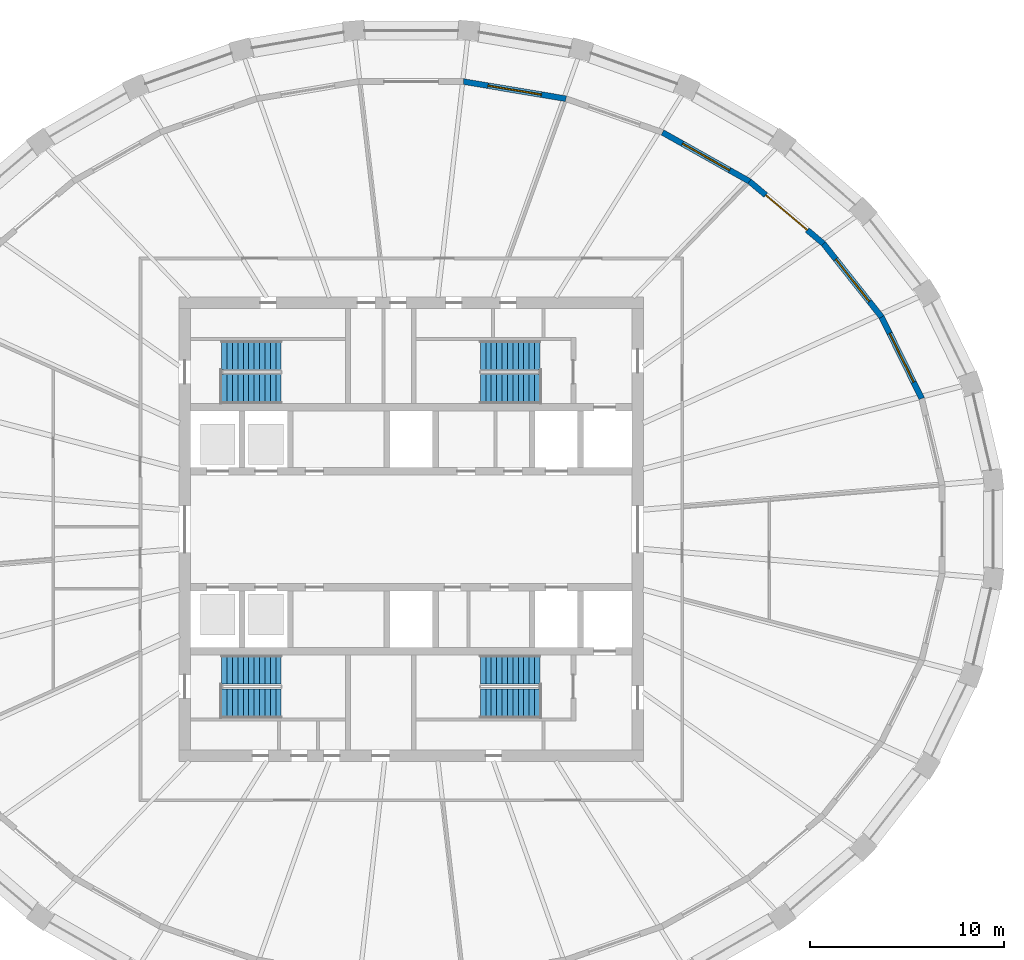
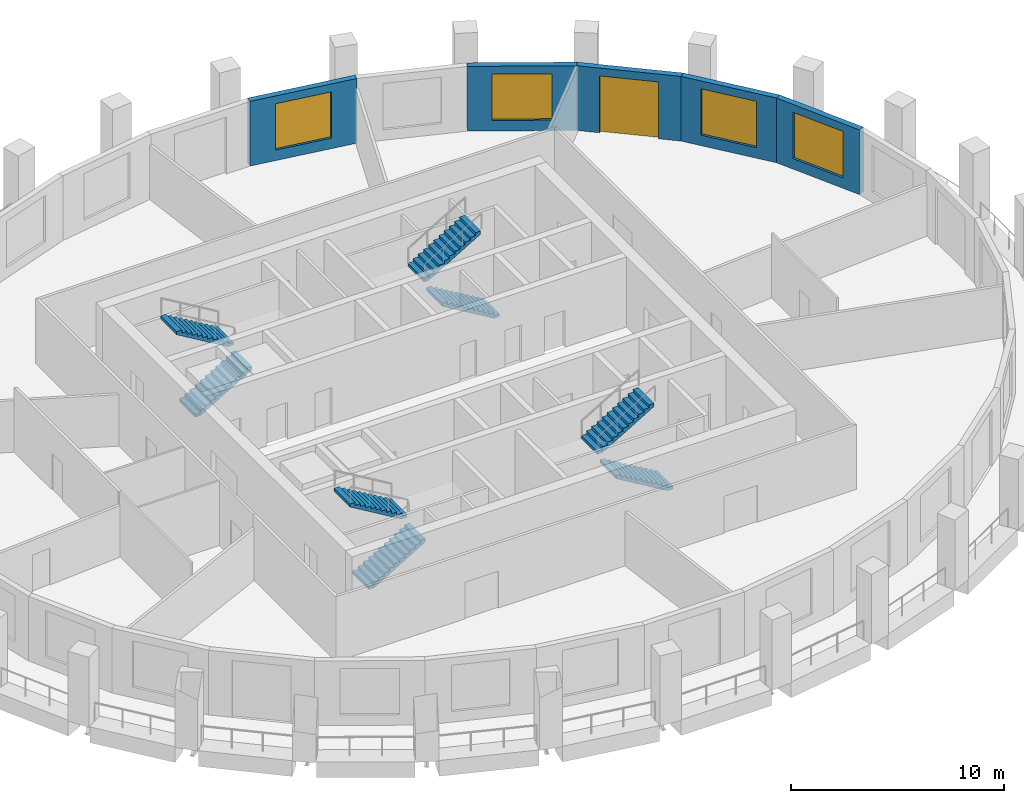
# One storey, part 7 of 10: 8 stair flights, 5 walls, 4 windows, 1 door, 5 openings, 4 elements without a shape of their own.
"""IFC4 building model written with IfcOpenShell, lengths in metres."""

from ifc_helpers import new_model, si_unit, direction, frame, frame_2d, origin, place, context, subcontext, project, spatial, polyline, rectangle, outline, extrude, material, layer, layer_set, type_object, element, fill, aggregate, save


model = new_model("IFC4")

# Units and contexts
model_context = context("Model", 3, precision=1e-05, world=origin(), true_north=direction((0.0, 1.0)))
body_context = subcontext(model_context, "Body", "Model", "MODEL_VIEW")
ifc_project = project(units=[si_unit("LENGTHUNIT", "METRE"), si_unit("AREAUNIT", "SQUARE_METRE"), si_unit("VOLUMEUNIT", "CUBIC_METRE"), si_unit("PLANEANGLEUNIT", "RADIAN"), si_unit("MASSUNIT", "GRAM", prefix="KILO")], contexts=[model_context])

# Site, building, storey
site_placement = place(None, origin())
site = spatial("IfcSite", under=ifc_project, at=site_placement, CompositionType="ELEMENT")
building_placement = place(site_placement, origin())
building = spatial("IfcBuilding", under=site, at=building_placement, Name="Halqa Exchange Tower", CompositionType="ELEMENT")
storey_placement = place(building_placement, frame((0.0, 0.0, 260.300048828125)))
storey = spatial("IfcBuildingStorey", under=building, at=storey_placement, Name="L60", CompositionType="ELEMENT", Elevation=260.300048828125)

# Wall, opening, window
ifc_material_1 = material(Name="Limestone cladding", Category="masonry")
ifc_layer_1 = layer(ifc_material_1, 0.0400390625)
ifc_material_2 = material(Name="Ventilated cavity")
ifc_layer_2 = layer(ifc_material_2, 0.030029296875, ventilated=True)
ifc_material_3 = material(Name="Mineral wool insulation")
ifc_layer_3 = layer(ifc_material_3, 0.10009765625)
ifc_material_4 = material(Name="Concrete C30/37", Category="concrete")
ifc_layer_4 = layer(ifc_material_4, 0.10009765625)
ifc_material_5 = material(Name="Internal plaster")
ifc_layer_5 = layer(ifc_material_5, 0.030029296875)
ifc_layer_set = layer_set([ifc_layer_1, ifc_layer_2, ifc_layer_3, ifc_layer_4, ifc_layer_5], Name="Stone-faced insulated wall 300")
wall_type = type_object("IfcWallType", Name="Stone-faced insulated wall 300", PredefinedType="STANDARD", material=ifc_layer_set)
wall_1_placement = place(storey_placement, frame((26.372314453125, 6.7548828125, 0.0), z_axis=(0.0, 0.0, 1.0), x_axis=(-0.441169971308, 0.89742356578, 0.0)))
wall_1 = element("IfcWall", 1, at=wall_1_placement, inside=storey, type_object=wall_type, Name="Glass-line wall 2", PredefinedType="STANDARD", context=body_context, shape_type="SweptSolid", body=[
    extrude(outline(polyline([(-0.016845703125, -0.14990234375), (4.7099609375, -0.14990234375), (4.677734375, 0.14990234375), (0.016845703125, 0.14990234375), (-0.016845703125, -0.14990234375)])), origin(), (0.0, 0.0, 1.0), 3.699951171875),
])
opening_1_placement = place(wall_1_placement, frame((0.947021484375, 0.0, 0.60009765625)))
opening_1 = element("IfcOpeningElement", 2, at=opening_1_placement, cuts=wall_1, Name="Opening W-F4-02", PredefinedType="OPENING", context=body_context, shape_type="SweptSolid", body=[
    extrude(rectangle(XDim=2.800048828125, YDim=2.64990234375, at=frame_2d((1.39990234375, 1.324951171875))), frame((0.0, 0.162109375, 0.0), z_axis=(0.0, -1.0, 0.0), x_axis=(1.0, 0.0, 0.0)), (0.0, 0.0, 1.0), 0.323974609375),
])
ifc_material_6 = material(Name="Clear low-emissivity glass in aluminium frame", Category="aluminium")
window_type = type_object("IfcWindowType", Name="Fixed clear glazed window 2800 x 2650", PartitioningType="DOUBLE_PANEL_VERTICAL", PredefinedType="WINDOW", material=ifc_material_6)
window_1_placement = place(opening_1_placement, origin())
window_1 = element("IfcWindow", 3, at=window_1_placement, inside=storey, type_object=window_type, Name="Window 4", OverallHeight=2.64990234375, OverallWidth=2.800048828125, PartitioningType="DOUBLE_PANEL_VERTICAL", PredefinedType="WINDOW", context=body_context, shape_type="SweptSolid", body=[
    extrude(rectangle(XDim=2.800048828125, YDim=2.64990234375, at=frame_2d((1.39990234375, 1.324951171875))), frame((0.0, 0.030029296875, 0.0), z_axis=(0.0, -1.0, 0.0), x_axis=(1.0, 0.0, 0.0)), (0.0, 0.0, 1.0), 0.06005859375),
])
fill(opening_1, window_1)

wall_2_placement = place(storey_placement, frame((24.301513671875, 10.96728515625, 0.0), z_axis=(0.0, 0.0, 1.0), x_axis=(-0.621358373565, 0.783526497063, 0.0)))
wall_2 = element("IfcWall", 4, at=wall_2_placement, inside=storey, type_object=wall_type, Name="Glass-line wall 3", PredefinedType="STANDARD", context=body_context, shape_type="SweptSolid", body=[
    extrude(outline(polyline([(-0.01611328125, -0.14990234375), (4.850830078125, -0.14990234375), (4.820556640625, 0.14990234375), (0.01611328125, 0.14990234375), (-0.01611328125, -0.14990234375)])), origin(), (0.0, 0.0, 1.0), 3.699951171875),
])
opening_2_placement = place(wall_2_placement, frame((1.017578125, 0.0, 0.60009765625)))
opening_2 = element("IfcOpeningElement", 5, at=opening_2_placement, cuts=wall_2, Name="Opening W-F4-03", PredefinedType="OPENING", context=body_context, shape_type="SweptSolid", body=[
    extrude(rectangle(XDim=2.800048828125, YDim=2.64990234375, at=frame_2d((1.39990234375, 1.324951171875))), frame((0.0, 0.162109375, 0.0), z_axis=(0.0, -1.0, 0.0), x_axis=(1.0, 0.0, 0.0)), (0.0, 0.0, 1.0), 0.323974609375),
])
window_2_placement = place(opening_2_placement, origin())
window_2 = element("IfcWindow", 6, at=window_2_placement, inside=storey, type_object=window_type, Name="Window 4", OverallHeight=2.64990234375, OverallWidth=2.800048828125, PartitioningType="DOUBLE_PANEL_VERTICAL", PredefinedType="WINDOW", context=body_context, shape_type="SweptSolid", body=[
    extrude(rectangle(XDim=2.800048828125, YDim=2.64990234375, at=frame_2d((1.39990234375, 1.324951171875))), frame((0.0, 0.030029296875, 0.0), z_axis=(0.0, -1.0, 0.0), x_axis=(1.0, 0.0, 0.0)), (0.0, 0.0, 1.0), 0.06005859375),
])
fill(opening_2, window_2)

# Wall, opening, door
wall_3_placement = place(storey_placement, frame((21.296875, 14.756103515625, 0.0), z_axis=(0.0, 0.0, 1.0), x_axis=(-0.764746492461, 0.644331283013, 0.0)))
wall_3 = element("IfcWall", 7, at=wall_3_placement, inside=storey, type_object=wall_type, Name="Glass-line wall 4", PredefinedType="STANDARD", context=body_context, shape_type="SweptSolid", body=[
    extrude(outline(polyline([(-0.01513671875, -0.14990234375), (5.011962890625, -0.14990234375), (4.983642578125, 0.14990234375), (0.01513671875, 0.14990234375), (-0.01513671875, -0.14990234375)])), origin(), (0.0, 0.0, 1.0), 3.699951171875),
])
opening_3_placement = place(wall_3_placement, frame((1.098876953125, 0.0, 0.0)))
opening_3 = element("IfcOpeningElement", 8, at=opening_3_placement, cuts=wall_3, Name="Opening LG-F4-01", PredefinedType="OPENING", context=body_context, shape_type="SweptSolid", body=[
    extrude(rectangle(XDim=2.800048828125, YDim=3.25, at=frame_2d((1.39990234375, 1.625))), frame((0.0, 0.162109375, 0.0), z_axis=(0.0, -1.0, 0.0), x_axis=(1.0, 0.0, 0.0)), (0.0, 0.0, 1.0), 0.323974609375),
])
door_type = type_object("IfcDoorType", Name="Glazed sliding loggia door 2800 x 3250", OperationType="DOUBLE_DOOR_SLIDING", PredefinedType="DOOR", material=ifc_material_6)
door_placement = place(opening_3_placement, origin())
door = element("IfcDoor", 9, at=door_placement, inside=storey, type_object=door_type, Name="Loggia door 1", OperationType="DOUBLE_DOOR_SLIDING", OverallHeight=3.25, OverallWidth=2.800048828125, PredefinedType="DOOR", context=body_context, shape_type="SweptSolid", body=[
    extrude(rectangle(XDim=2.800048828125, YDim=3.25, at=frame_2d((1.39990234375, 1.625))), frame((0.0, 0.02490234375, 0.0), z_axis=(0.0, -1.0, 0.0), x_axis=(1.0, 0.0, 0.0)), (0.0, 0.0, 1.0), 0.050048828125),
])
fill(opening_3, door)

# Wall, opening, window
wall_4_placement = place(storey_placement, frame((17.474853515625, 17.976318359375, 0.0), z_axis=(0.0, 0.0, 1.0), x_axis=(-0.871411047742, 0.490553550465, 0.0)))
wall_4 = element("IfcWall", 10, at=wall_4_placement, inside=storey, type_object=wall_type, Name="Glass-line wall 5", PredefinedType="STANDARD", context=body_context, shape_type="SweptSolid", body=[
    extrude(outline(polyline([(-0.01416015625, -0.14990234375), (5.16796875, -0.14990234375), (5.14111328125, 0.14990234375), (0.01416015625, 0.14990234375), (-0.01416015625, -0.14990234375)])), origin(), (0.0, 0.0, 1.0), 3.699951171875),
])
opening_4_placement = place(wall_4_placement, frame((1.17724609375, 0.0, 0.60009765625)))
opening_4 = element("IfcOpeningElement", 11, at=opening_4_placement, cuts=wall_4, Name="Opening W-F4-05", PredefinedType="OPENING", context=body_context, shape_type="SweptSolid", body=[
    extrude(rectangle(XDim=2.800048828125, YDim=2.64990234375, at=frame_2d((1.39990234375, 1.324951171875))), frame((0.0, 0.162109375, 0.0), z_axis=(0.0, -1.0, 0.0), x_axis=(1.0, 0.0, 0.0)), (0.0, 0.0, 1.0), 0.323974609375),
])
window_3_placement = place(opening_4_placement, origin())
window_3 = element("IfcWindow", 12, at=window_3_placement, inside=storey, type_object=window_type, Name="Window 4", OverallHeight=2.64990234375, OverallWidth=2.800048828125, PartitioningType="DOUBLE_PANEL_VERTICAL", PredefinedType="WINDOW", context=body_context, shape_type="SweptSolid", body=[
    extrude(rectangle(XDim=2.800048828125, YDim=2.64990234375, at=frame_2d((1.39990234375, 1.324951171875))), frame((0.0, 0.030029296875, 0.0), z_axis=(0.0, -1.0, 0.0), x_axis=(1.0, 0.0, 0.0)), (0.0, 0.0, 1.0), 0.06005859375),
])
fill(opening_4, window_3)

wall_5_placement = place(storey_placement, frame((7.994140625, 22.24609375, 0.0), z_axis=(0.0, 0.0, 1.0), x_axis=(-0.986243571741, 0.165298569867, 0.0)))
wall_5 = element("IfcWall", 13, at=wall_5_placement, inside=storey, type_object=wall_type, Name="Glass-line wall 7", PredefinedType="STANDARD", context=body_context, shape_type="SweptSolid", body=[
    extrude(outline(polyline([(-0.0126953125, -0.14990234375), (5.38134765625, -0.14990234375), (5.3564453125, 0.14990234375), (0.0126953125, 0.14990234375), (-0.0126953125, -0.14990234375)])), origin(), (0.0, 0.0, 1.0), 3.699951171875),
])
opening_5_placement = place(wall_5_placement, frame((1.284423828125, 0.0, 0.60009765625)))
opening_5 = element("IfcOpeningElement", 14, at=opening_5_placement, cuts=wall_5, Name="Opening W-F4-07", PredefinedType="OPENING", context=body_context, shape_type="SweptSolid", body=[
    extrude(rectangle(XDim=2.800048828125, YDim=2.64990234375, at=frame_2d((1.39990234375, 1.324951171875))), frame((0.0, 0.162109375, 0.0), z_axis=(0.0, -1.0, 0.0), x_axis=(1.0, 0.0, 0.0)), (0.0, 0.0, 1.0), 0.323974609375),
])
window_4_placement = place(opening_5_placement, origin())
window_4 = element("IfcWindow", 15, at=window_4_placement, inside=storey, type_object=window_type, Name="Window 4", OverallHeight=2.64990234375, OverallWidth=2.800048828125, PartitioningType="DOUBLE_PANEL_VERTICAL", PredefinedType="WINDOW", context=body_context, shape_type="SweptSolid", body=[
    extrude(rectangle(XDim=2.800048828125, YDim=2.64990234375, at=frame_2d((1.39990234375, 1.324951171875))), frame((0.0, 0.030029296875, 0.0), z_axis=(0.0, -1.0, 0.0), x_axis=(1.0, 0.0, 0.0)), (0.0, 0.0, 1.0), 0.06005859375),
])
fill(opening_5, window_4)

# Stair, stair flights
stair_type = type_object("IfcStairType", Name="Exit stair 1500 wide", PredefinedType="HALF_TURN_STAIR", material=ifc_material_4)
stair_1_placement = place(storey_placement, origin())
stair_1 = element("IfcStair", 16, at=stair_1_placement, inside=storey, type_object=stair_type, Name="Exit stair ST1", PredefinedType="HALF_TURN_STAIR")
stair_flight_type = type_object("IfcStairFlightType", Name="Stair flight 1500 wide", PredefinedType="STRAIGHT", material=ifc_material_4)
stair_flight_1_placement = place(storey_placement, frame((-9.800048828125, 7.25, 0.0), z_axis=(0.0, 0.0, 1.0), x_axis=(1.0, 0.0, 0.0)))
stair_flight_1 = element("IfcStairFlight", 17, at=stair_flight_1_placement, type_object=stair_flight_type, Name="ST1 flight 1", NumberOfRisers=12, NumberOfTreads=11, PredefinedType="STRAIGHT", RiserHeight=0.166666667, TreadLength=0.28, context=body_context, shape_type="SweptSolid", body=[
    extrude(outline(polyline([(0.0, 0.0), (0.0, 0.166748046875), (0.280029296875, 0.166748046875), (0.280029296875, 0.333251953125), (0.56005859375, 0.333251953125), (0.56005859375, 0.5), (0.840087890625, 0.5), (0.840087890625, 0.666748046875), (1.1201171875, 0.666748046875), (1.1201171875, 0.833251953125), (1.39990234375, 0.833251953125), (1.39990234375, 1.0), (1.679931640625, 1.0), (1.679931640625, 1.166748046875), (1.9599609375, 1.166748046875), (1.9599609375, 1.333251953125), (2.239990234375, 1.333251953125), (2.239990234375, 1.5), (2.52001953125, 1.5), (2.52001953125, 1.666748046875), (2.800048828125, 1.666748046875), (2.800048828125, 1.833251953125), (3.080078125, 1.833251953125), (3.080078125, 2.0), (3.080078125, 1.658935546875), (0.29296875, 0.0), (0.0, 0.0)])), frame((0.0, 0.75, 0.0), z_axis=(0.0, -1.0, 0.0), x_axis=(1.0, 0.0, 0.0)), (0.0, 0.0, 1.0), 1.5),
])
stair_flight_2_placement = place(storey_placement, frame((-6.719970703125, 9.0, 2.0), z_axis=(0.0, 0.0, 1.0), x_axis=(-1.0, 0.0, 0.0)))
stair_flight_2 = element("IfcStairFlight", 18, at=stair_flight_2_placement, type_object=stair_flight_type, Name="ST1 flight 2", NumberOfRisers=12, NumberOfTreads=11, PredefinedType="STRAIGHT", RiserHeight=0.166666667, TreadLength=0.28, context=body_context, shape_type="SweptSolid", body=[
    extrude(outline(polyline([(0.0, 0.0), (0.0, 0.166748046875), (0.280029296875, 0.166748046875), (0.280029296875, 0.333251953125), (0.56005859375, 0.333251953125), (0.56005859375, 0.5), (0.840087890625, 0.5), (0.840087890625, 0.666748046875), (1.1201171875, 0.666748046875), (1.1201171875, 0.833251953125), (1.39990234375, 0.833251953125), (1.39990234375, 1.0), (1.679931640625, 1.0), (1.679931640625, 1.166748046875), (1.9599609375, 1.166748046875), (1.9599609375, 1.333251953125), (2.239990234375, 1.333251953125), (2.239990234375, 1.5), (2.52001953125, 1.5), (2.52001953125, 1.666748046875), (2.800048828125, 1.666748046875), (2.800048828125, 1.833251953125), (3.080078125, 1.833251953125), (3.080078125, 2.0), (3.080078125, 1.658935546875), (0.29296875, 0.0), (0.0, 0.0)])), frame((0.0, 0.75, 0.0), z_axis=(0.0, -1.0, 0.0), x_axis=(1.0, 0.0, 0.0)), (0.0, 0.0, 1.0), 1.5),
])
aggregate(stair_1, [stair_flight_1, stair_flight_2])

stair_2_placement = place(storey_placement, origin())
stair_2 = element("IfcStair", 19, at=stair_2_placement, inside=storey, type_object=stair_type, Name="Exit stair ST2", PredefinedType="HALF_TURN_STAIR")
stair_flight_3_placement = place(storey_placement, frame((6.64990234375, 7.25, 0.0), z_axis=(0.0, 0.0, 1.0), x_axis=(-1.0, 0.0, 0.0)))
stair_flight_3 = element("IfcStairFlight", 20, at=stair_flight_3_placement, type_object=stair_flight_type, Name="ST2 flight 1", NumberOfRisers=12, NumberOfTreads=11, PredefinedType="STRAIGHT", RiserHeight=0.166666667, TreadLength=0.28, context=body_context, shape_type="SweptSolid", body=[
    extrude(outline(polyline([(0.0, 0.0), (0.0, 0.166748046875), (0.280029296875, 0.166748046875), (0.280029296875, 0.333251953125), (0.56005859375, 0.333251953125), (0.56005859375, 0.5), (0.840087890625, 0.5), (0.840087890625, 0.666748046875), (1.1201171875, 0.666748046875), (1.1201171875, 0.833251953125), (1.39990234375, 0.833251953125), (1.39990234375, 1.0), (1.679931640625, 1.0), (1.679931640625, 1.166748046875), (1.9599609375, 1.166748046875), (1.9599609375, 1.333251953125), (2.239990234375, 1.333251953125), (2.239990234375, 1.5), (2.52001953125, 1.5), (2.52001953125, 1.666748046875), (2.800048828125, 1.666748046875), (2.800048828125, 1.833251953125), (3.080078125, 1.833251953125), (3.080078125, 2.0), (3.080078125, 1.658935546875), (0.29296875, 0.0), (0.0, 0.0)])), frame((0.0, 0.75, 0.0), z_axis=(0.0, -1.0, 0.0), x_axis=(1.0, 0.0, 0.0)), (0.0, 0.0, 1.0), 1.5),
])
stair_flight_4_placement = place(storey_placement, frame((3.570068359375, 9.0, 2.0), z_axis=(0.0, 0.0, 1.0), x_axis=(1.0, 0.0, 0.0)))
stair_flight_4 = element("IfcStairFlight", 21, at=stair_flight_4_placement, type_object=stair_flight_type, Name="ST2 flight 2", NumberOfRisers=12, NumberOfTreads=11, PredefinedType="STRAIGHT", RiserHeight=0.166666667, TreadLength=0.28, context=body_context, shape_type="SweptSolid", body=[
    extrude(outline(polyline([(0.0, 0.0), (0.0, 0.166748046875), (0.280029296875, 0.166748046875), (0.280029296875, 0.333251953125), (0.56005859375, 0.333251953125), (0.56005859375, 0.5), (0.840087890625, 0.5), (0.840087890625, 0.666748046875), (1.1201171875, 0.666748046875), (1.1201171875, 0.833251953125), (1.39990234375, 0.833251953125), (1.39990234375, 1.0), (1.679931640625, 1.0), (1.679931640625, 1.166748046875), (1.9599609375, 1.166748046875), (1.9599609375, 1.333251953125), (2.239990234375, 1.333251953125), (2.239990234375, 1.5), (2.52001953125, 1.5), (2.52001953125, 1.666748046875), (2.800048828125, 1.666748046875), (2.800048828125, 1.833251953125), (3.080078125, 1.833251953125), (3.080078125, 2.0), (3.080078125, 1.658935546875), (0.29296875, 0.0), (0.0, 0.0)])), frame((0.0, 0.75, 0.0), z_axis=(0.0, -1.0, 0.0), x_axis=(1.0, 0.0, 0.0)), (0.0, 0.0, 1.0), 1.5),
])
aggregate(stair_2, [stair_flight_3, stair_flight_4])

stair_3_placement = place(storey_placement, origin())
stair_3 = element("IfcStair", 22, at=stair_3_placement, inside=storey, type_object=stair_type, Name="Exit stair ST3", PredefinedType="HALF_TURN_STAIR")
stair_flight_5_placement = place(storey_placement, frame((-9.800048828125, -9.0, 0.0), z_axis=(0.0, 0.0, 1.0), x_axis=(1.0, 0.0, 0.0)))
stair_flight_5 = element("IfcStairFlight", 23, at=stair_flight_5_placement, type_object=stair_flight_type, Name="ST3 flight 1", NumberOfRisers=12, NumberOfTreads=11, PredefinedType="STRAIGHT", RiserHeight=0.166666667, TreadLength=0.28, context=body_context, shape_type="SweptSolid", body=[
    extrude(outline(polyline([(0.0, 0.0), (0.0, 0.166748046875), (0.280029296875, 0.166748046875), (0.280029296875, 0.333251953125), (0.56005859375, 0.333251953125), (0.56005859375, 0.5), (0.840087890625, 0.5), (0.840087890625, 0.666748046875), (1.1201171875, 0.666748046875), (1.1201171875, 0.833251953125), (1.39990234375, 0.833251953125), (1.39990234375, 1.0), (1.679931640625, 1.0), (1.679931640625, 1.166748046875), (1.9599609375, 1.166748046875), (1.9599609375, 1.333251953125), (2.239990234375, 1.333251953125), (2.239990234375, 1.5), (2.52001953125, 1.5), (2.52001953125, 1.666748046875), (2.800048828125, 1.666748046875), (2.800048828125, 1.833251953125), (3.080078125, 1.833251953125), (3.080078125, 2.0), (3.080078125, 1.658935546875), (0.29296875, 0.0), (0.0, 0.0)])), frame((0.0, 0.75, 0.0), z_axis=(0.0, -1.0, 0.0), x_axis=(1.0, 0.0, 0.0)), (0.0, 0.0, 1.0), 1.5),
])
stair_flight_6_placement = place(storey_placement, frame((-6.719970703125, -7.25, 2.0), z_axis=(0.0, 0.0, 1.0), x_axis=(-1.0, 0.0, 0.0)))
stair_flight_6 = element("IfcStairFlight", 24, at=stair_flight_6_placement, type_object=stair_flight_type, Name="ST3 flight 2", NumberOfRisers=12, NumberOfTreads=11, PredefinedType="STRAIGHT", RiserHeight=0.166666667, TreadLength=0.28, context=body_context, shape_type="SweptSolid", body=[
    extrude(outline(polyline([(0.0, 0.0), (0.0, 0.166748046875), (0.280029296875, 0.166748046875), (0.280029296875, 0.333251953125), (0.56005859375, 0.333251953125), (0.56005859375, 0.5), (0.840087890625, 0.5), (0.840087890625, 0.666748046875), (1.1201171875, 0.666748046875), (1.1201171875, 0.833251953125), (1.39990234375, 0.833251953125), (1.39990234375, 1.0), (1.679931640625, 1.0), (1.679931640625, 1.166748046875), (1.9599609375, 1.166748046875), (1.9599609375, 1.333251953125), (2.239990234375, 1.333251953125), (2.239990234375, 1.5), (2.52001953125, 1.5), (2.52001953125, 1.666748046875), (2.800048828125, 1.666748046875), (2.800048828125, 1.833251953125), (3.080078125, 1.833251953125), (3.080078125, 2.0), (3.080078125, 1.658935546875), (0.29296875, 0.0), (0.0, 0.0)])), frame((0.0, 0.75, 0.0), z_axis=(0.0, -1.0, 0.0), x_axis=(1.0, 0.0, 0.0)), (0.0, 0.0, 1.0), 1.5),
])
aggregate(stair_3, [stair_flight_5, stair_flight_6])

stair_4_placement = place(storey_placement, origin())
stair_4 = element("IfcStair", 25, at=stair_4_placement, inside=storey, type_object=stair_type, Name="Exit stair ST4", PredefinedType="HALF_TURN_STAIR")
stair_flight_7_placement = place(storey_placement, frame((6.64990234375, -9.0, 0.0), z_axis=(0.0, 0.0, 1.0), x_axis=(-1.0, 0.0, 0.0)))
stair_flight_7 = element("IfcStairFlight", 26, at=stair_flight_7_placement, type_object=stair_flight_type, Name="ST4 flight 1", NumberOfRisers=12, NumberOfTreads=11, PredefinedType="STRAIGHT", RiserHeight=0.166666667, TreadLength=0.28, context=body_context, shape_type="SweptSolid", body=[
    extrude(outline(polyline([(0.0, 0.0), (0.0, 0.166748046875), (0.280029296875, 0.166748046875), (0.280029296875, 0.333251953125), (0.56005859375, 0.333251953125), (0.56005859375, 0.5), (0.840087890625, 0.5), (0.840087890625, 0.666748046875), (1.1201171875, 0.666748046875), (1.1201171875, 0.833251953125), (1.39990234375, 0.833251953125), (1.39990234375, 1.0), (1.679931640625, 1.0), (1.679931640625, 1.166748046875), (1.9599609375, 1.166748046875), (1.9599609375, 1.333251953125), (2.239990234375, 1.333251953125), (2.239990234375, 1.5), (2.52001953125, 1.5), (2.52001953125, 1.666748046875), (2.800048828125, 1.666748046875), (2.800048828125, 1.833251953125), (3.080078125, 1.833251953125), (3.080078125, 2.0), (3.080078125, 1.658935546875), (0.29296875, 0.0), (0.0, 0.0)])), frame((0.0, 0.75, 0.0), z_axis=(0.0, -1.0, 0.0), x_axis=(1.0, 0.0, 0.0)), (0.0, 0.0, 1.0), 1.5),
])
stair_flight_8_placement = place(storey_placement, frame((3.570068359375, -7.25, 2.0), z_axis=(0.0, 0.0, 1.0), x_axis=(1.0, 0.0, 0.0)))
stair_flight_8 = element("IfcStairFlight", 27, at=stair_flight_8_placement, type_object=stair_flight_type, Name="ST4 flight 2", NumberOfRisers=12, NumberOfTreads=11, PredefinedType="STRAIGHT", RiserHeight=0.166666667, TreadLength=0.28, context=body_context, shape_type="SweptSolid", body=[
    extrude(outline(polyline([(0.0, 0.0), (0.0, 0.166748046875), (0.280029296875, 0.166748046875), (0.280029296875, 0.333251953125), (0.56005859375, 0.333251953125), (0.56005859375, 0.5), (0.840087890625, 0.5), (0.840087890625, 0.666748046875), (1.1201171875, 0.666748046875), (1.1201171875, 0.833251953125), (1.39990234375, 0.833251953125), (1.39990234375, 1.0), (1.679931640625, 1.0), (1.679931640625, 1.166748046875), (1.9599609375, 1.166748046875), (1.9599609375, 1.333251953125), (2.239990234375, 1.333251953125), (2.239990234375, 1.5), (2.52001953125, 1.5), (2.52001953125, 1.666748046875), (2.800048828125, 1.666748046875), (2.800048828125, 1.833251953125), (3.080078125, 1.833251953125), (3.080078125, 2.0), (3.080078125, 1.658935546875), (0.29296875, 0.0), (0.0, 0.0)])), frame((0.0, 0.75, 0.0), z_axis=(0.0, -1.0, 0.0), x_axis=(1.0, 0.0, 0.0)), (0.0, 0.0, 1.0), 1.5),
])
aggregate(stair_4, [stair_flight_7, stair_flight_8])

save(model, "model.ifc")
